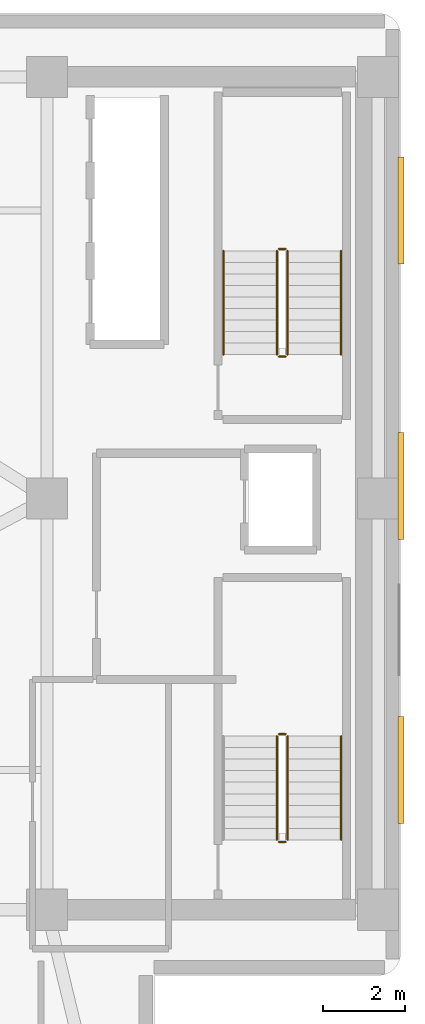
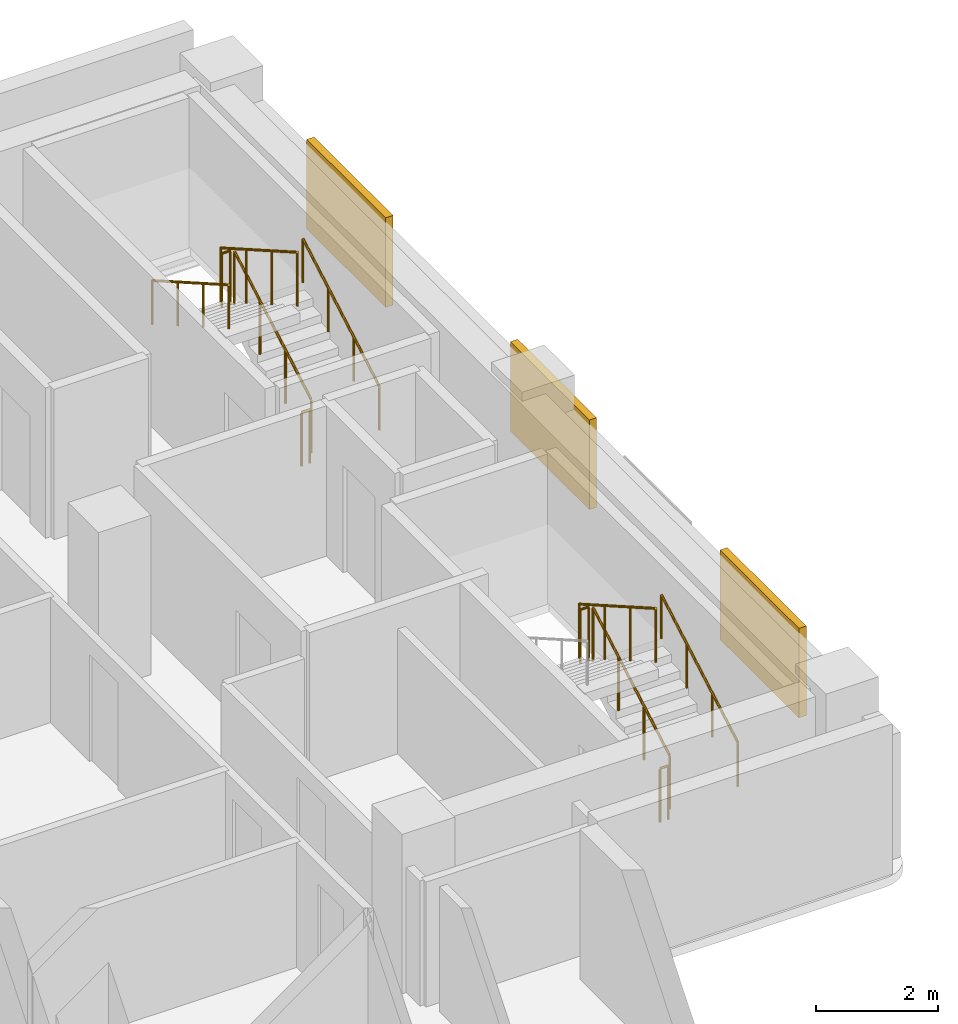
# One storey, part 14 of 14: 11 railings, 3 shading devices.
"""IFC4 building model written with IfcOpenShell, lengths in metres."""

from ifc_helpers import new_model, si_unit, direction, frame, origin, origin_2d, place, context, subcontext, project, spatial, rectangle, circle, extrude, material, layer, layer_set, type_object, element, save


model = new_model("IFC4")

# Units and contexts
model_context = context("Model", 3, precision=1e-05, world=origin(), true_north=direction((0.0, 1.0)))
body_context = subcontext(model_context, "Body", "Model", "MODEL_VIEW")
ifc_project = project(units=[si_unit("LENGTHUNIT", "METRE"), si_unit("AREAUNIT", "SQUARE_METRE"), si_unit("VOLUMEUNIT", "CUBIC_METRE"), si_unit("PLANEANGLEUNIT", "RADIAN"), si_unit("MASSUNIT", "GRAM", prefix="KILO")], contexts=[model_context])

# Site, building, storey
site_placement = place(None, origin())
site = spatial("IfcSite", under=ifc_project, at=site_placement, CompositionType="ELEMENT")
building_placement = place(site_placement, origin())
building = spatial("IfcBuilding", under=site, at=building_placement, Name="Kuzgunbayir Cultural Tower", CompositionType="ELEMENT")
storey_placement = place(building_placement, frame((0.0, 0.0, 33.39990234375)))
storey = spatial("IfcBuildingStorey", under=building, at=storey_placement, Name="L08", CompositionType="ELEMENT", Elevation=33.39990234375)

# Railings
ifc_material_1 = material(Name="Brushed Stainless Steel", Category="steel")
ifc_layer_1 = layer(ifc_material_1, 0.050048828125)
ifc_layer_set_1 = layer_set([ifc_layer_1], Name="Brushed Stainless Steel")
railing_type_1 = type_object("IfcRailingType", Name="RLG-STAIR-HANDRAIL", PredefinedType="HANDRAIL", material=ifc_layer_set_1)
for number, where, name in (
    (1, (71.75, 23.699951171875, 0.16015625), "L08 ST-3 stair handrail 1"),
    (2, (71.75, 35.5, 0.16015625), "L08 ST-4 stair handrail 1"),
):
    element("IfcRailing", number, at=place(storey_placement, frame(where)), inside=storey, type_object=railing_type_1, Name=name, PredefinedType="HANDRAIL", context=body_context, shape_type="SweptSolid", body=[
        extrude(circle(Radius=0.02392578125, at=origin_2d()), frame((0.0, 0.0, 0.8759765625), z_axis=(0.0, 0.868253494771, 0.496120820787), x_axis=(-1.0, 0.0, 0.0)), (0.0, 0.0, 1.0), 2.90234375),
        extrude(circle(Radius=0.02099609375, at=origin_2d()), origin(), (0.0, 0.0, 1.0), 0.851806640625),
        extrude(circle(Radius=0.02099609375, at=origin_2d()), frame((0.0, 0.840087890625, 0.47998046875)), (0.0, 0.0, 1.0), 0.851806640625),
        extrude(circle(Radius=0.02099609375, at=origin_2d()), frame((0.0, 1.679931640625, 0.9599609375)), (0.0, 0.0, 1.0), 0.851806640625),
        extrude(circle(Radius=0.02099609375, at=origin_2d()), frame((0.0, 2.52001953125, 1.43994140625)), (0.0, 0.0, 1.0), 0.851806640625),
    ])
railing_1_placement = place(storey_placement, frame((68.889892578125, 38.02001953125, 1.760009765625)))
element("IfcRailing", 3, at=railing_1_placement, inside=storey, type_object=railing_type_1, Name="L08 ST-4 stair handrail 2", PredefinedType="HANDRAIL", context=body_context, shape_type="SweptSolid", body=[
    extrude(circle(Radius=0.02392578125, at=origin_2d()), frame((0.0, 0.0, 0.8759765625), z_axis=(0.0, -0.868217259934, 0.496184229447), x_axis=(1.0, 0.0, 0.0)), (0.0, 0.0, 1.0), 2.902587890625),
    extrude(circle(Radius=0.02099609375, at=origin_2d()), origin(), (0.0, 0.0, 1.0), 0.851806640625),
    extrude(circle(Radius=0.02099609375, at=origin_2d()), frame((0.0, -0.840087890625, 0.47998046875)), (0.0, 0.0, 1.0), 0.851806640625),
    extrude(circle(Radius=0.02099609375, at=origin_2d()), frame((0.0, -1.679931640625, 0.960205078125)), (0.0, 0.0, 1.0), 0.851806640625),
    extrude(circle(Radius=0.02099609375, at=origin_2d()), frame((0.0, -2.52001953125, 1.440185546875)), (0.0, 0.0, 1.0), 0.851806640625),
])
ifc_material_2 = material(Name="Painted Steel Balustrade", Category="steel")
ifc_layer_2 = layer(ifc_material_2, 0.06005859375)
ifc_layer_set_2 = layer_set([ifc_layer_2], Name="Painted Steel Balustrade")
railing_type_2 = type_object("IfcRailingType", Name="RLG-WELL-GUARD", PredefinedType="GUARDRAIL", material=ifc_layer_set_2)
railing_2_placement = place(storey_placement, frame((70.449951171875, 23.699951171875, 0.16015625)))
element("IfcRailing", 4, at=railing_2_placement, inside=storey, type_object=railing_type_2, Name="L08 ST-3 stair guard 1", PredefinedType="GUARDRAIL", context=body_context, shape_type="SweptSolid", body=[
    extrude(circle(Radius=0.02392578125, at=origin_2d()), frame((0.0, 0.0, 1.076171875), z_axis=(0.0, 0.868253494771, 0.496120820787), x_axis=(-1.0, 0.0, 0.0)), (0.0, 0.0, 1.0), 2.90234375),
    extrude(circle(Radius=0.02099609375, at=origin_2d()), origin(), (0.0, 0.0, 1.0), 1.052001953125),
    extrude(circle(Radius=0.02099609375, at=origin_2d()), frame((0.0, 0.840087890625, 0.47998046875)), (0.0, 0.0, 1.0), 1.052001953125),
    extrude(circle(Radius=0.02099609375, at=origin_2d()), frame((0.0, 1.679931640625, 0.9599609375)), (0.0, 0.0, 1.0), 1.052001953125),
    extrude(circle(Radius=0.02099609375, at=origin_2d()), frame((0.0, 2.52001953125, 1.43994140625)), (0.0, 0.0, 1.0), 1.052001953125),
])
railing_3_placement = place(storey_placement, frame((70.39990234375, 26.27001953125, 1.60009765625)))
element("IfcRailing", 5, at=railing_3_placement, inside=storey, type_object=railing_type_2, Name="L08 ST-3 stair guard 2", PredefinedType="GUARDRAIL", context=body_context, shape_type="SweptSolid", body=[
    extrude(circle(Radius=0.02392578125, at=origin_2d()), frame((0.0, 0.0, 1.076171875), z_axis=(-1.0, 0.0, 0.0), x_axis=(0.0, -1.0, 0.0)), (0.0, 0.0, 1.0), 0.159912109375),
    extrude(circle(Radius=0.02099609375, at=origin_2d()), origin(), (0.0, 0.0, 1.0), 1.052001953125),
    extrude(circle(Radius=0.02099609375, at=origin_2d()), frame((-0.159912109375, 0.0, 0.0)), (0.0, 0.0, 1.0), 1.052001953125),
])
railing_4_placement = place(storey_placement, frame((70.18994140625, 26.219970703125, 1.760009765625)))
element("IfcRailing", 6, at=railing_4_placement, inside=storey, type_object=railing_type_2, Name="L08 ST-3 stair guard 3", PredefinedType="GUARDRAIL", context=body_context, shape_type="SweptSolid", body=[
    extrude(circle(Radius=0.02392578125, at=origin_2d()), frame((0.0, 0.0, 1.076171875), z_axis=(0.0, -0.868217259934, 0.496184229447), x_axis=(1.0, 0.0, 0.0)), (0.0, 0.0, 1.0), 2.902587890625),
    extrude(circle(Radius=0.02099609375, at=origin_2d()), origin(), (0.0, 0.0, 1.0), 1.052001953125),
    extrude(circle(Radius=0.02099609375, at=origin_2d()), frame((0.0, -0.840087890625, 0.47998046875)), (0.0, 0.0, 1.0), 1.052001953125),
    extrude(circle(Radius=0.02099609375, at=origin_2d()), frame((0.0, -1.679931640625, 0.960205078125)), (0.0, 0.0, 1.0), 1.052001953125),
    extrude(circle(Radius=0.02099609375, at=origin_2d()), frame((0.0, -2.52001953125, 1.440185546875)), (0.0, 0.0, 1.0), 1.052001953125),
])
railing_5_placement = place(storey_placement, frame((70.39990234375, 23.64990234375, 0.0)))
element("IfcRailing", 7, at=railing_5_placement, inside=storey, type_object=railing_type_2, Name="L08 ST-3 stair guard 4", PredefinedType="GUARDRAIL", context=body_context, shape_type="SweptSolid", body=[
    extrude(circle(Radius=0.02392578125, at=origin_2d()), frame((0.0, 0.0, 1.076171875), z_axis=(-1.0, 0.0, 0.0), x_axis=(0.0, -1.0, 0.0)), (0.0, 0.0, 1.0), 0.159912109375),
    extrude(circle(Radius=0.02099609375, at=origin_2d()), origin(), (0.0, 0.0, 1.0), 1.052001953125),
    extrude(circle(Radius=0.02099609375, at=origin_2d()), frame((-0.159912109375, 0.0, 0.0)), (0.0, 0.0, 1.0), 1.052001953125),
])
railing_6_placement = place(storey_placement, frame((70.449951171875, 35.5, 0.16015625)))
element("IfcRailing", 8, at=railing_6_placement, inside=storey, type_object=railing_type_2, Name="L08 ST-4 stair guard 1", PredefinedType="GUARDRAIL", context=body_context, shape_type="SweptSolid", body=[
    extrude(circle(Radius=0.02392578125, at=origin_2d()), frame((0.0, 0.0, 1.076171875), z_axis=(0.0, 0.868253494771, 0.496120820787), x_axis=(-1.0, 0.0, 0.0)), (0.0, 0.0, 1.0), 2.90234375),
    extrude(circle(Radius=0.02099609375, at=origin_2d()), origin(), (0.0, 0.0, 1.0), 1.052001953125),
    extrude(circle(Radius=0.02099609375, at=origin_2d()), frame((0.0, 0.840087890625, 0.47998046875)), (0.0, 0.0, 1.0), 1.052001953125),
    extrude(circle(Radius=0.02099609375, at=origin_2d()), frame((0.0, 1.679931640625, 0.9599609375)), (0.0, 0.0, 1.0), 1.052001953125),
    extrude(circle(Radius=0.02099609375, at=origin_2d()), frame((0.0, 2.52001953125, 1.43994140625)), (0.0, 0.0, 1.0), 1.052001953125),
])
railing_7_placement = place(storey_placement, frame((70.39990234375, 38.070068359375, 1.60009765625)))
element("IfcRailing", 9, at=railing_7_placement, inside=storey, type_object=railing_type_2, Name="L08 ST-4 stair guard 2", PredefinedType="GUARDRAIL", context=body_context, shape_type="SweptSolid", body=[
    extrude(circle(Radius=0.02392578125, at=origin_2d()), frame((0.0, 0.0, 1.076171875), z_axis=(-1.0, 0.0, 0.0), x_axis=(0.0, -1.0, 0.0)), (0.0, 0.0, 1.0), 0.159912109375),
    extrude(circle(Radius=0.02099609375, at=origin_2d()), origin(), (0.0, 0.0, 1.0), 1.052001953125),
    extrude(circle(Radius=0.02099609375, at=origin_2d()), frame((-0.159912109375, 0.0, 0.0)), (0.0, 0.0, 1.0), 1.052001953125),
])
railing_8_placement = place(storey_placement, frame((70.18994140625, 38.02001953125, 1.760009765625)))
element("IfcRailing", 10, at=railing_8_placement, inside=storey, type_object=railing_type_2, Name="L08 ST-4 stair guard 3", PredefinedType="GUARDRAIL", context=body_context, shape_type="SweptSolid", body=[
    extrude(circle(Radius=0.02392578125, at=origin_2d()), frame((0.0, 0.0, 1.076171875), z_axis=(0.0, -0.868217259934, 0.496184229447), x_axis=(1.0, 0.0, 0.0)), (0.0, 0.0, 1.0), 2.902587890625),
    extrude(circle(Radius=0.02099609375, at=origin_2d()), origin(), (0.0, 0.0, 1.0), 1.052001953125),
    extrude(circle(Radius=0.02099609375, at=origin_2d()), frame((0.0, -0.840087890625, 0.47998046875)), (0.0, 0.0, 1.0), 1.052001953125),
    extrude(circle(Radius=0.02099609375, at=origin_2d()), frame((0.0, -1.679931640625, 0.960205078125)), (0.0, 0.0, 1.0), 1.052001953125),
    extrude(circle(Radius=0.02099609375, at=origin_2d()), frame((0.0, -2.52001953125, 1.440185546875)), (0.0, 0.0, 1.0), 1.052001953125),
])
railing_9_placement = place(storey_placement, frame((70.39990234375, 35.449951171875, 0.0)))
element("IfcRailing", 11, at=railing_9_placement, inside=storey, type_object=railing_type_2, Name="L08 ST-4 stair guard 4", PredefinedType="GUARDRAIL", context=body_context, shape_type="SweptSolid", body=[
    extrude(circle(Radius=0.02392578125, at=origin_2d()), frame((0.0, 0.0, 1.076171875), z_axis=(-1.0, 0.0, 0.0), x_axis=(0.0, -1.0, 0.0)), (0.0, 0.0, 1.0), 0.159912109375),
    extrude(circle(Radius=0.02099609375, at=origin_2d()), origin(), (0.0, 0.0, 1.0), 1.052001953125),
    extrude(circle(Radius=0.02099609375, at=origin_2d()), frame((-0.159912109375, 0.0, 0.0)), (0.0, 0.0, 1.0), 1.052001953125),
])

# Shading devices
ifc_material_3 = material(Name="Perforated Bronze-Anodised Aluminium", Category="aluminium")
shading_device_type = type_object("IfcShadingDeviceType", Name="SHD-SOLAR-BRONZE", PredefinedType="JALOUSIE", material=ifc_material_3)
for number, where, z_axis, x_axis, name in (
    (12, (73.2099609375, 25.39990234375, 0.80029296875), (0.0, 0.0, 1.0), (1.0, 0.0, 0.0), "L08 Companion East Bronze Solar Screen 25"),
    (13, (73.2099609375, 32.300048828125, 0.80029296875), (0.0, 0.0, 1.0), (1.0, 0.0, 0.0), "L08 Companion East Bronze Solar Screen 32"),
    (14, (73.2099609375, 39.0, 0.80029296875), (0.0, 0.0, 1.0), (1.0, 0.0, 0.0), "L08 Companion East Bronze Solar Screen 39"),
):
    element("IfcShadingDevice", number, at=place(storey_placement, frame(where, z_axis=z_axis, x_axis=x_axis)), inside=storey, type_object=shading_device_type, Name=name, PredefinedType="JALOUSIE", context=body_context, shape_type="SweptSolid", body=[
        extrude(rectangle(XDim=0.139892578125, YDim=2.60009765625, at=origin_2d()), origin(), (0.0, 0.0, 1.0), 1.800048828125),
    ])

save(model, "model.ifc")
